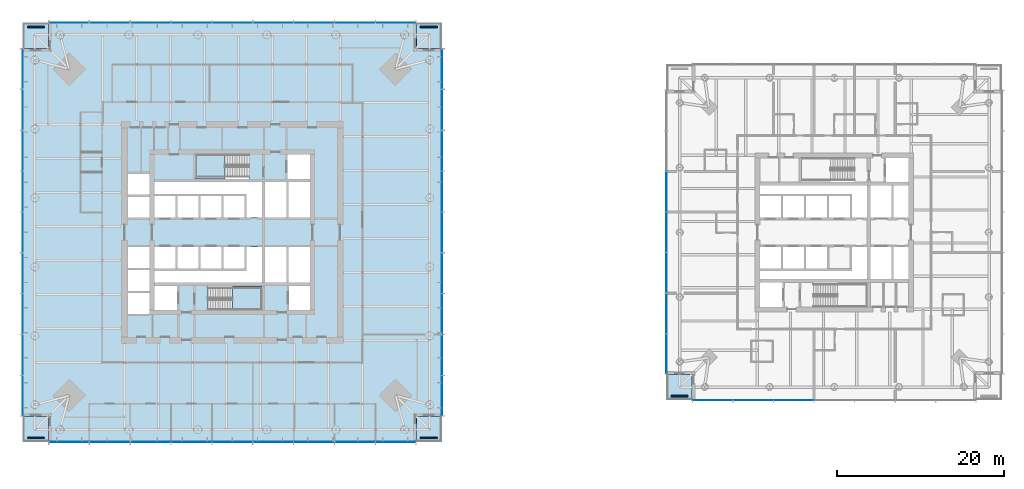
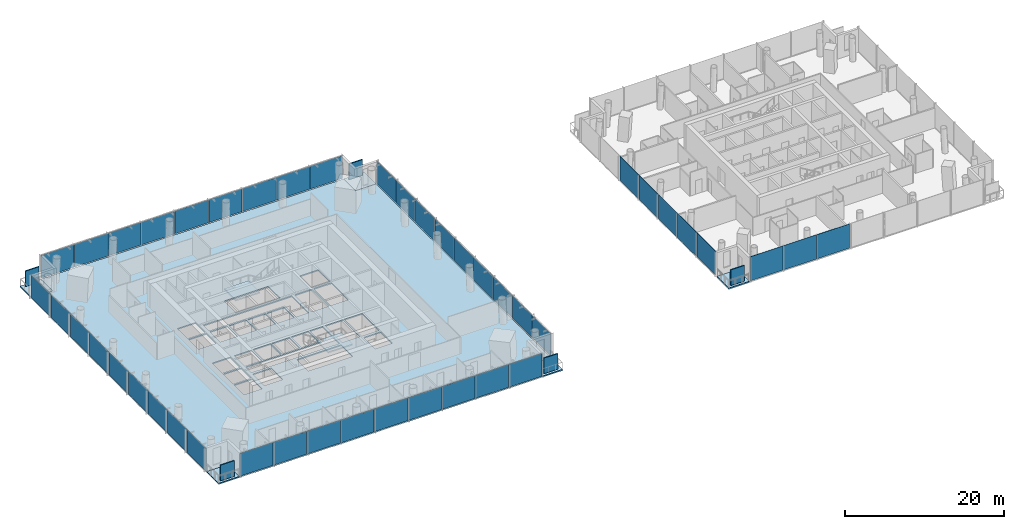
# One storey, part 8 of 21: 49 plates, 8 slabs, 8 elements without a shape of their own.
"""IFC4 building model written with IfcOpenShell, lengths in metres."""

import ifcopenshell
import ifcopenshell.guid

model = None  # the IFC model being written
_history = None  # IfcOwnerHistory: only IFC2X3 demands one
_inside = {}  # id of a spatial element -> (the spatial element, [elements in it])
_under = {}  # id of a project, library or spatial element -> (it, [spatial elements below it])
_declared = {}  # id of a project -> (the project, [libraries it declares])
_typed = {}  # id of a type object -> (the type object, [elements of that type])
_made_of = {}  # id of a material, layer set ... -> (it, [elements and type objects made of it])


def new_model(schema):
    """Start an empty IFC model of exactly this schema.

    Asked for "IFC4X3", IfcOpenShell would pick the latest addendum, in which some entities
    have other attributes; the version numbers below select the first issue.
    IFC2X3 requires an IfcOwnerHistory on every rooted entity: one is made here for all.
    """
    global model, _history
    if schema == "IFC4X3":
        model = ifcopenshell.file(schema_version=(4, 3, 0, 0))
    else:
        model = ifcopenshell.file(schema=schema)
    _inside.clear()
    _under.clear()
    _declared.clear()
    _typed.clear()
    _made_of.clear()
    _history = None
    if model.schema == "IFC2X3":
        org = make("IfcOrganization", Name="unknown")
        user = make(
            "IfcPersonAndOrganization",
            ThePerson=make("IfcPerson", FamilyName="unknown"),
            TheOrganization=org,
        )
        app = make(
            "IfcApplication",
            ApplicationDeveloper=org,
            Version="unknown",
            ApplicationFullName="unknown",
            ApplicationIdentifier="unknown",
        )
        _history = make(
            "IfcOwnerHistory",
            OwningUser=user,
            OwningApplication=app,
            ChangeAction="ADDED",
            CreationDate=0,
        )
    return model


def make(cls, **values):
    """One entity of the class cls with the attributes given. An attribute that is None is left unset."""
    return model.create_entity(
        cls, **{name: value for name, value in values.items() if value is not None}
    )


def rooted(cls, **values):
    """An entity with a GlobalId (a new one), such as an element, a storey or a relation."""
    return make(cls, GlobalId=ifcopenshell.guid.new(), OwnerHistory=_history, **values)


def si_unit(unit_type, name, prefix=None):
    """IfcSIUnit, for example si_unit("LENGTHUNIT", "METRE", prefix="MILLI")."""
    return make("IfcSIUnit", UnitType=unit_type, Prefix=prefix, Name=name)


def assignment(units):
    """IfcUnitAssignment: the units of a project."""
    return None if units is None else make("IfcUnitAssignment", Units=units)


def point(xyz):
    """IfcCartesianPoint."""
    return None if xyz is None else make("IfcCartesianPoint", Coordinates=xyz)


def direction(xyz):
    """IfcDirection."""
    return None if xyz is None else make("IfcDirection", DirectionRatios=xyz)


def frame(location, z_axis=None, x_axis=None):
    """IfcAxis2Placement3D, a coordinate frame: its origin and axes. An axis left out is left unset."""
    return make(
        "IfcAxis2Placement3D",
        Location=point(location),
        Axis=direction(z_axis),
        RefDirection=direction(x_axis),
    )


def frame_2d(location, x_axis=None):
    """IfcAxis2Placement2D, a coordinate frame in the plane: its origin and x axis."""
    return make(
        "IfcAxis2Placement2D", Location=point(location), RefDirection=direction(x_axis)
    )


def origin():
    """The frame at (0, 0, 0) with its axes left unset."""
    return frame((0.0, 0.0, 0.0))


def origin_2d():
    """The frame at (0, 0) in the plane with its x axis left unset."""
    return frame_2d((0.0, 0.0))


def place(relative_to, where):
    """IfcLocalPlacement: puts the frame where relative to a parent placement (None: the world)."""
    return make(
        "IfcLocalPlacement", PlacementRelTo=relative_to, RelativePlacement=where
    )


def context(
    kind, dimensions, precision=None, world=None, true_north=None, identifier=None
):
    """IfcGeometricRepresentationContext, for example the 3D "Model" context."""
    return make(
        "IfcGeometricRepresentationContext",
        ContextIdentifier=identifier,
        ContextType=kind,
        CoordinateSpaceDimension=dimensions,
        Precision=precision,
        WorldCoordinateSystem=world,
        TrueNorth=true_north,
    )


def subcontext(parent, identifier, kind, view, scale=None):
    """IfcGeometricRepresentationSubContext, for example "Body" below "Model"."""
    return make(
        "IfcGeometricRepresentationSubContext",
        ContextIdentifier=identifier,
        ContextType=kind,
        ParentContext=parent,
        TargetScale=scale,
        TargetView=view,
    )


def project(units=None, contexts=None):
    """IfcProject with its units and contexts."""
    return rooted(
        "IfcProject",
        Name="project",
        RepresentationContexts=contexts,
        UnitsInContext=assignment(units),
    )


def spatial(cls, under=None, at=None, **own):
    """A site, building, storey or space (cls), placed at a placement, below another one or the project."""
    s = rooted(cls, ObjectPlacement=at, **own)
    if under is not None:
        _under.setdefault(under.id(), (under, []))[1].append(s)
    return s


def polyline(points):
    """IfcPolyline through the points."""
    return make("IfcPolyline", Points=[point(p) for p in points])


def profile(cls, at=None, kind="AREA", **sizes):
    """A parametric profile (cls). Its sizes go by their IFC names, for example OverallWidth=200.0."""
    return make(cls, ProfileType=kind, Position=at, **sizes)


def rectangle(**sizes):
    """IfcRectangleProfileDef."""
    return profile("IfcRectangleProfileDef", **sizes)


def outline(outer, holes=None, kind="AREA"):
    """IfcArbitraryClosedProfileDef: a profile drawn as a closed curve; with holes, ...WithVoids."""
    if holes is None:
        return make("IfcArbitraryClosedProfileDef", ProfileType=kind, OuterCurve=outer)
    return make(
        "IfcArbitraryProfileDefWithVoids",
        ProfileType=kind,
        OuterCurve=outer,
        InnerCurves=holes,
    )


def extrude(swept, where, along, depth):
    """IfcExtrudedAreaSolid: the profile swept, set in the frame where, extruded along a direction by depth."""
    return make(
        "IfcExtrudedAreaSolid",
        SweptArea=swept,
        Position=where,
        ExtrudedDirection=direction(along),
        Depth=depth,
    )


def shape(context_of_items, identifier, shape_type, items):
    """IfcShapeRepresentation: the items that make up one representation, for example the "Body"."""
    return make(
        "IfcShapeRepresentation",
        ContextOfItems=context_of_items,
        RepresentationIdentifier=identifier,
        RepresentationType=shape_type,
        Items=items,
    )


def material(Name=None, Category=None):
    """IfcMaterial."""
    return make("IfcMaterial", Name=Name, Category=Category)


def layer(
    of_material, thickness, ventilated=None, Name=None, Category=None, Priority=None
):
    """IfcMaterialLayer: one layer of a wall or slab, of a material (None: an air gap)."""
    return make(
        "IfcMaterialLayer",
        Material=of_material,
        LayerThickness=thickness,
        IsVentilated=ventilated,
        Name=Name,
        Category=Category,
        Priority=Priority,
    )


def layer_set(layers, Name=None):
    """IfcMaterialLayerSet."""
    return make("IfcMaterialLayerSet", MaterialLayers=layers, LayerSetName=Name)


def made_of(thing, what):
    """Note that an element or type object is made of a material, layer set ...; save() writes the relation."""
    if what is not None:
        _made_of.setdefault(what.id(), (what, []))[1].append(thing)
    return thing


def type_object(cls, material=None, **own):
    """A type object (cls), such as IfcWallType, which elements share."""
    return made_of(rooted(cls, **own), material)


def element(
    cls,
    number,
    at=None,
    inside=None,
    cuts=None,
    type_object=None,
    material=None,
    context=None,
    identifier="Body",
    shape_type=None,
    held_by="IfcProductDefinitionShape",
    body=None,
    shapes=None,
    **own,
):
    """One element of the class cls, such as IfcWall. Its Tag is "e" and its number.

    at: its placement. inside: the storey or other place that contains it. cuts: it is an
    opening in that element (IfcRelVoidsElement). A single representation is given by context,
    identifier, shape_type and body (its items); several are given by shapes. held_by: the class
    of the entity that holds the representations. save() writes the other relations.
    """
    e = rooted(cls, Tag="e%d" % number, ObjectPlacement=at, **own)
    if body is not None:
        shapes = [shape(context, identifier, shape_type, body)]
    if shapes is not None:
        e.Representation = make(held_by, Representations=shapes)
    if inside is not None:
        _inside.setdefault(inside.id(), (inside, []))[1].append(e)
    if cuts is not None:
        rooted(
            "IfcRelVoidsElement", RelatingBuildingElement=cuts, RelatedOpeningElement=e
        )
    if type_object is not None:
        _typed.setdefault(type_object.id(), (type_object, []))[1].append(e)
    return made_of(e, material)


def aggregate(whole, parts):
    """IfcRelAggregates: a whole, such as a stair, and the parts it consists of."""
    return rooted("IfcRelAggregates", RelatingObject=whole, RelatedObjects=parts)


def save(model, path):
    """Write the relations noted so far, then the file.

    IfcRelAggregates (storeys below a building ...), IfcRelContainedInSpatialStructure (elements
    in a storey), IfcRelDefinesByType, IfcRelAssociatesMaterial and IfcRelDeclares: one each for
    every whole, place, type object, material and project.
    """
    for whole, parts in _under.values():
        aggregate(whole, parts)
    for where, things in _inside.values():
        rooted(
            "IfcRelContainedInSpatialStructure",
            RelatedElements=things,
            RelatingStructure=where,
        )
    for kind, things in _typed.values():
        rooted("IfcRelDefinesByType", RelatedObjects=things, RelatingType=kind)
    for what, things in _made_of.values():
        rooted("IfcRelAssociatesMaterial", RelatedObjects=things, RelatingMaterial=what)
    for by, libraries in _declared.values():
        rooted("IfcRelDeclares", RelatingContext=by, RelatedDefinitions=libraries)
    model.write(path)


model = new_model("IFC4")

# Units and contexts
model_context = context("Model", 3, precision=1e-05, world=origin(), true_north=direction((0.0, 1.0)))
body_context = subcontext(model_context, "Body", "Model", "MODEL_VIEW")
ifc_project = project(units=[si_unit("LENGTHUNIT", "METRE"), si_unit("AREAUNIT", "SQUARE_METRE"), si_unit("VOLUMEUNIT", "CUBIC_METRE"), si_unit("PLANEANGLEUNIT", "RADIAN"), si_unit("MASSUNIT", "GRAM", prefix="KILO")], contexts=[model_context])

# Site, building, storey
site_placement = place(None, origin())
site = spatial("IfcSite", under=ifc_project, at=site_placement, CompositionType="ELEMENT")
building_placement = place(site_placement, origin())
building = spatial("IfcBuilding", under=site, at=building_placement, Name="Ostroluk Exchange", CompositionType="ELEMENT")
storey_placement = place(building_placement, frame((0.0, 0.0, 32.39990234375)))
storey = spatial("IfcBuildingStorey", under=building, at=storey_placement, Name="L07", CompositionType="ELEMENT", Elevation=32.39990234375)

# Curtain wall, plates
ifc_material_1 = material(Name="Laminated clear glass", Category="glass")
curtain_wall_type_1 = type_object("IfcCurtainWallType", Name="Hotel guest floor facade", PredefinedType="USERDEFINED", material=ifc_material_1)
curtain_wall_1_placement = place(storey_placement, origin())
curtain_wall_1 = element("IfcCurtainWall", 1, at=curtain_wall_1_placement, inside=storey, type_object=curtain_wall_type_1, Name="Hotel tower south facade L07", ObjectType="UNITISED CURTAIN WALL", PredefinedType="USERDEFINED")
ifc_material_2 = material(Name="Laminated clear glass", Category="glass")
ifc_layer_1 = layer(ifc_material_2, 0.0400390625)
ifc_layer_set_1 = layer_set([ifc_layer_1], Name="Acoustic laminated glazing 40")
plate_type_1 = type_object("IfcPlateType", Name="Acoustic laminated glazing 40", PredefinedType="CURTAIN_PANEL", material=ifc_layer_set_1)
plate_1_placement = place(storey_placement, frame((102.448486328125, 25.925048828125, 0.080078125), z_axis=(0.0, 0.0, 1.0), x_axis=(1.0, 0.0, 0.0)))
plate_1 = element("IfcPlate", 2, at=plate_1_placement, type_object=plate_type_1, Name="CW-H1 panel 1.1", PredefinedType="CURTAIN_PANEL", context=body_context, shape_type="SweptSolid", body=[
    extrude(rectangle(XDim=4.737060546875, YDim=0.0400390625, at=origin_2d()), origin(), (0.0, 0.0, 1.0), 3.719970703125),
])
plate_2_placement = place(storey_placement, frame((107.28564453125, 25.925048828125, 0.080078125), z_axis=(0.0, 0.0, 1.0), x_axis=(1.0, 0.0, 0.0)))
plate_2 = element("IfcPlate", 3, at=plate_2_placement, type_object=plate_type_1, Name="CW-H1 panel 2.1", PredefinedType="CURTAIN_PANEL", context=body_context, shape_type="SweptSolid", body=[
    extrude(rectangle(XDim=4.777099609375, YDim=0.0400390625, at=origin_2d()), origin(), (0.0, 0.0, 1.0), 3.719970703125),
])
plate_3_placement = place(storey_placement, frame((112.142822265625, 25.925048828125, 0.080078125), z_axis=(0.0, 0.0, 1.0), x_axis=(1.0, 0.0, 0.0)))
plate_3 = element("IfcPlate", 4, at=plate_3_placement, type_object=plate_type_1, Name="CW-H1 panel 3.1", PredefinedType="CURTAIN_PANEL", context=body_context, shape_type="SweptSolid", body=[
    extrude(rectangle(XDim=4.777099609375, YDim=0.0400390625, at=origin_2d()), origin(), (0.0, 0.0, 1.0), 3.719970703125),
])
aggregate(curtain_wall_1, [plate_1, plate_2, plate_3])

curtain_wall_2_placement = place(storey_placement, origin())
curtain_wall_2 = element("IfcCurtainWall", 5, at=curtain_wall_2_placement, inside=storey, type_object=curtain_wall_type_1, Name="Hotel tower west facade L07", ObjectType="UNITISED CURTAIN WALL", PredefinedType="USERDEFINED")
plate_4_placement = place(storey_placement, frame((96.925048828125, 50.857177734375, 0.080078125), z_axis=(0.0, 0.0, 1.0), x_axis=(0.0, -1.0, 0.0)))
plate_4 = element("IfcPlate", 6, at=plate_4_placement, type_object=plate_type_1, Name="CW-H1 panel 3.1", PredefinedType="CURTAIN_PANEL", context=body_context, shape_type="SweptSolid", body=[
    extrude(rectangle(XDim=4.777099609375, YDim=0.0400390625, at=origin_2d()), origin(), (0.0, 0.0, 1.0), 3.719970703125),
])
plate_5_placement = place(storey_placement, frame((96.925048828125, 46.0, 0.080078125), z_axis=(0.0, 0.0, 1.0), x_axis=(0.0, -1.0, 0.0)))
plate_5 = element("IfcPlate", 7, at=plate_5_placement, type_object=plate_type_1, Name="CW-H1 panel 4.1", PredefinedType="CURTAIN_PANEL", context=body_context, shape_type="SweptSolid", body=[
    extrude(rectangle(XDim=4.777099609375, YDim=0.0400390625, at=origin_2d()), origin(), (0.0, 0.0, 1.0), 3.719970703125),
])
plate_6_placement = place(storey_placement, frame((96.925048828125, 41.142822265625, 0.080078125), z_axis=(0.0, 0.0, 1.0), x_axis=(0.0, -1.0, 0.0)))
plate_6 = element("IfcPlate", 8, at=plate_6_placement, type_object=plate_type_1, Name="CW-H1 panel 5.1", PredefinedType="CURTAIN_PANEL", context=body_context, shape_type="SweptSolid", body=[
    extrude(rectangle(XDim=4.777099609375, YDim=0.0400390625, at=origin_2d()), origin(), (0.0, 0.0, 1.0), 3.719970703125),
])
plate_7_placement = place(storey_placement, frame((96.925048828125, 36.28564453125, 0.080078125), z_axis=(0.0, 0.0, 1.0), x_axis=(0.0, -1.0, 0.0)))
plate_7 = element("IfcPlate", 9, at=plate_7_placement, type_object=plate_type_1, Name="CW-H1 panel 6.1", PredefinedType="CURTAIN_PANEL", context=body_context, shape_type="SweptSolid", body=[
    extrude(rectangle(XDim=4.777099609375, YDim=0.0400390625, at=origin_2d()), origin(), (0.0, 0.0, 1.0), 3.719970703125),
])
plate_8_placement = place(storey_placement, frame((96.925048828125, 31.448486328125, 0.080078125), z_axis=(0.0, 0.0, 1.0), x_axis=(0.0, -1.0, 0.0)))
plate_8 = element("IfcPlate", 10, at=plate_8_placement, type_object=plate_type_1, Name="CW-H1 panel 7.1", PredefinedType="CURTAIN_PANEL", context=body_context, shape_type="SweptSolid", body=[
    extrude(rectangle(XDim=4.737060546875, YDim=0.0400390625, at=origin_2d()), origin(), (0.0, 0.0, 1.0), 3.719970703125),
])
aggregate(curtain_wall_2, [plate_4, plate_5, plate_6, plate_7, plate_8])

# Slabs
ifc_material_3 = material(Name="Concrete C35/45", Category="concrete")
ifc_layer_2 = layer(ifc_material_3, 0.179931640625)
ifc_layer_set_2 = layer_set([ifc_layer_2], Name="Balcony slab 180")
slab_type_1 = type_object("IfcSlabType", Name="Balcony slab 180", PredefinedType="USERDEFINED", material=ifc_layer_set_2)
slab_1_placement = place(storey_placement, frame((0.0, 0.0, -0.179931640625)))
element("IfcSlab", 11, at=slab_1_placement, inside=storey, type_object=slab_type_1, Name="Office tower SE corner balcony L07", ObjectType="BALCONY", PredefinedType="USERDEFINED", context=body_context, shape_type="SweptSolid", body=[
    extrude(outline(polyline([(67.0, 21.0), (70.0, 21.0), (70.0, 24.0), (67.0, 24.0), (67.0, 21.0)])), origin(), (0.0, 0.0, 1.0), 0.179931640625),
])
slab_2_placement = place(storey_placement, frame((0.0, 0.0, -0.179931640625)))
element("IfcSlab", 12, at=slab_2_placement, inside=storey, type_object=slab_type_1, Name="Office tower NE corner balcony L07", ObjectType="BALCONY", PredefinedType="USERDEFINED", context=body_context, shape_type="SweptSolid", body=[
    extrude(outline(polyline([(67.0, 68.0), (70.0, 68.0), (70.0, 71.0), (67.0, 71.0), (67.0, 68.0)])), origin(), (0.0, 0.0, 1.0), 0.179931640625),
])
slab_3_placement = place(storey_placement, frame((0.0, 0.0, -0.179931640625)))
element("IfcSlab", 13, at=slab_3_placement, inside=storey, type_object=slab_type_1, Name="Office tower NW corner balcony L07", ObjectType="BALCONY", PredefinedType="USERDEFINED", context=body_context, shape_type="SweptSolid", body=[
    extrude(outline(polyline([(20.0, 68.0), (23.0, 68.0), (23.0, 71.0), (20.0, 71.0), (20.0, 68.0)])), origin(), (0.0, 0.0, 1.0), 0.179931640625),
])
slab_4_placement = place(storey_placement, frame((0.0, 0.0, -0.179931640625)))
element("IfcSlab", 14, at=slab_4_placement, inside=storey, type_object=slab_type_1, Name="Office tower SW corner balcony L07", ObjectType="BALCONY", PredefinedType="USERDEFINED", context=body_context, shape_type="SweptSolid", body=[
    extrude(outline(polyline([(20.0, 21.0), (23.0, 21.0), (23.0, 24.0), (20.0, 24.0), (20.0, 21.0)])), origin(), (0.0, 0.0, 1.0), 0.179931640625),
])
ifc_material_4 = material(Name="Concrete C35/45", Category="concrete")
ifc_layer_3 = layer(ifc_material_4, 0.199951171875)
ifc_layer_set_3 = layer_set([ifc_layer_3], Name="Balcony slab 200")
slab_type_2 = type_object("IfcSlabType", Name="Balcony slab 200", PredefinedType="USERDEFINED", material=ifc_layer_set_3)
slab_5_placement = place(storey_placement, frame((0.0, 0.0, -0.199951171875)))
element("IfcSlab", 15, at=slab_5_placement, inside=storey, type_object=slab_type_2, Name="Hotel tower SW corner balcony L07", ObjectType="BALCONY", PredefinedType="USERDEFINED", context=body_context, shape_type="SweptSolid", body=[
    extrude(outline(polyline([(97.0, 26.0), (100.0, 26.0), (100.0, 29.0), (97.0, 29.0), (97.0, 26.0)])), origin(), (0.0, 0.0, 1.0), 0.199951171875),
])

# Plates
ifc_material_5 = material(Name="Steel S355 trellis with planting", Category="steel")
ifc_layer_4 = layer(ifc_material_5, 0.14990234375)
ifc_layer_set_4 = layer_set([ifc_layer_4], Name="Planted screen 150")
plate_type_2 = type_object("IfcPlateType", Name="Planted screen 150", PredefinedType="USERDEFINED", material=ifc_layer_set_4)
for number, where, z_axis, x_axis, name in (
    (16, (68.5, 21.425048828125, 0.000244140625), (0.0, 0.0, 1.0), (1.0, 0.0, 0.0), "Office tower SE planted screen L07"),
    (17, (68.5, 70.574951171875, 0.000244140625), (0.0, 0.0, 1.0), (1.0, 0.0, 0.0), "Office tower NE planted screen L07"),
    (18, (21.5, 70.574951171875, 0.000244140625), (0.0, 0.0, 1.0), (1.0, 0.0, 0.0), "Office tower NW planted screen L07"),
    (19, (21.5, 21.425048828125, 0.000244140625), (0.0, 0.0, 1.0), (1.0, 0.0, 0.0), "Office tower SW planted screen L07"),
    (20, (98.5, 26.425048828125, 0.000244140625), (0.0, 0.0, 1.0), (1.0, 0.0, 0.0), "Hotel tower SW planted screen L07"),
):
    element("IfcPlate", number, at=place(storey_placement, frame(where, z_axis=z_axis, x_axis=x_axis)), inside=storey, type_object=plate_type_2, Name=name, ObjectType="PLANTED SCREEN", PredefinedType="USERDEFINED", context=body_context, shape_type="SweptSolid", body=[
        extrude(rectangle(XDim=2.0, YDim=0.14990234375, at=origin_2d()), origin(), (0.0, 0.0, 1.0), 2.39990234375),
    ])

# Stair, slab
ifc_material_6 = material(Name="Concrete C30/37", Category="concrete")
stair_type = type_object("IfcStairType", Name="Exit stair half turn 3800", PredefinedType="HALF_TURN_STAIR", material=ifc_material_6)
stair_1_placement = place(storey_placement, origin())
stair_1 = element("IfcStair", 21, at=stair_1_placement, inside=storey, type_object=stair_type, Name="Stair T1-S1 L07", PredefinedType="HALF_TURN_STAIR")
ifc_material_7 = material(Name="Concrete C30/37", Category="concrete")
ifc_layer_5 = layer(ifc_material_7, 0.199951171875)
ifc_layer_set_5 = layer_set([ifc_layer_5], Name="Stair landing 200")
slab_type_3 = type_object("IfcSlabType", Name="Stair landing 200", PredefinedType="LANDING", material=ifc_layer_set_5)
slab_6_placement = place(storey_placement, frame((0.0, 0.0, 1.7001953125)))
slab_6 = element("IfcSlab", 22, at=slab_6_placement, type_object=slab_type_3, Name="T1-S1 landing 1", PredefinedType="LANDING", context=body_context, shape_type="SweptSolid", body=[
    extrude(outline(polyline([(45.0, 36.699951171875), (45.0, 39.60009765625), (48.530029296875, 39.60009765625), (48.530029296875, 36.699951171875), (45.0, 36.699951171875)])), origin(), (0.0, 0.0, 1.0), 0.199951171875),
])
aggregate(stair_1, [slab_6])

stair_2_placement = place(storey_placement, origin())
stair_2 = element("IfcStair", 23, at=stair_2_placement, inside=storey, type_object=stair_type, Name="Stair T1-S2 L07", PredefinedType="HALF_TURN_STAIR")
slab_7_placement = place(storey_placement, frame((0.0, 0.0, 1.7001953125)))
slab_7 = element("IfcSlab", 24, at=slab_7_placement, type_object=slab_type_3, Name="T1-S2 landing 1", PredefinedType="LANDING", context=body_context, shape_type="SweptSolid", body=[
    extrude(outline(polyline([(44.1298828125, 52.39990234375), (44.1298828125, 55.300048828125), (40.60009765625, 55.300048828125), (40.60009765625, 52.39990234375), (44.1298828125, 52.39990234375)])), origin(), (0.0, 0.0, 1.0), 0.199951171875),
])
aggregate(stair_2, [slab_7])

# Slab
ifc_material_8 = material(Name="Concrete C35/45", Category="concrete")
ifc_layer_6 = layer(ifc_material_8, 0.179931640625)
ifc_layer_set_6 = layer_set([ifc_layer_6], Name="Tower floor slab 180 composite")
slab_type_4 = type_object("IfcSlabType", Name="Tower floor slab 180 composite", PredefinedType="FLOOR", material=ifc_layer_set_6)
slab_8_placement = place(storey_placement, frame((0.0, 0.0, -0.179931640625)))
element("IfcSlab", 25, at=slab_8_placement, inside=storey, type_object=slab_type_4, Name="Office tower floor slab L07", PredefinedType="FLOOR", context=body_context, shape_type="SweptSolid", body=[
    extrude(outline(polyline([(23.0, 21.0), (67.0, 21.0), (67.0, 24.0), (70.0, 24.0), (70.0, 68.0), (67.0, 68.0), (67.0, 71.0), (23.0, 71.0), (23.0, 68.0), (20.0, 68.0), (20.0, 24.0), (23.0, 24.0), (23.0, 21.0)]), holes=[polyline([(35.699951171875, 36.699951171875), (38.39990234375, 36.699951171875), (38.39990234375, 39.60009765625), (35.699951171875, 39.60009765625), (35.699951171875, 36.699951171875)]), polyline([(42.110107421875, 36.699951171875), (48.530029296875, 36.699951171875), (48.530029296875, 39.60009765625), (42.110107421875, 39.60009765625), (42.110107421875, 36.699951171875)]), polyline([(51.800048828125, 36.699951171875), (54.300048828125, 36.699951171875), (54.300048828125, 39.60009765625), (51.800048828125, 39.60009765625), (51.800048828125, 36.699951171875)]), polyline([(40.60009765625, 52.39990234375), (47.02001953125, 52.39990234375), (47.02001953125, 55.300048828125), (40.60009765625, 55.300048828125), (40.60009765625, 52.39990234375)]), polyline([(51.60009765625, 52.39990234375), (54.300048828125, 52.39990234375), (54.300048828125, 55.300048828125), (51.60009765625, 55.300048828125), (51.60009765625, 52.39990234375)]), polyline([(35.699951171875, 47.75), (38.199951171875, 47.75), (38.199951171875, 50.35009765625), (35.699951171875, 50.35009765625), (35.699951171875, 47.75)]), polyline([(38.449951171875, 47.75), (40.949951171875, 47.75), (40.949951171875, 50.35009765625), (38.449951171875, 50.35009765625), (38.449951171875, 47.75)]), polyline([(41.199951171875, 47.75), (43.699951171875, 47.75), (43.699951171875, 50.35009765625), (41.199951171875, 50.35009765625), (41.199951171875, 47.75)]), polyline([(43.949951171875, 47.75), (46.449951171875, 47.75), (46.449951171875, 50.35009765625), (43.949951171875, 50.35009765625), (43.949951171875, 47.75)]), polyline([(35.699951171875, 41.64990234375), (38.199951171875, 41.64990234375), (38.199951171875, 44.25), (35.699951171875, 44.25), (35.699951171875, 41.64990234375)]), polyline([(38.449951171875, 41.64990234375), (40.949951171875, 41.64990234375), (40.949951171875, 44.25), (38.449951171875, 44.25), (38.449951171875, 41.64990234375)]), polyline([(41.199951171875, 41.64990234375), (43.699951171875, 41.64990234375), (43.699951171875, 44.25), (41.199951171875, 44.25), (41.199951171875, 41.64990234375)]), polyline([(43.949951171875, 41.64990234375), (46.449951171875, 41.64990234375), (46.449951171875, 44.25), (43.949951171875, 44.25), (43.949951171875, 41.64990234375)]), polyline([(48.929931640625, 47.75), (51.489990234375, 47.75), (51.489990234375, 52.0), (48.929931640625, 52.0), (48.929931640625, 47.75)]), polyline([(51.739990234375, 47.75), (54.300048828125, 47.75), (54.300048828125, 52.0), (51.739990234375, 52.0), (51.739990234375, 47.75)]), polyline([(48.929931640625, 40.0), (51.489990234375, 40.0), (51.489990234375, 44.25), (48.929931640625, 44.25), (48.929931640625, 40.0)]), polyline([(51.739990234375, 40.0), (54.300048828125, 40.0), (54.300048828125, 44.25), (51.739990234375, 44.25), (51.739990234375, 40.0)]), polyline([(48.530029296875, 52.0), (48.530029296875, 47.75), (46.699951171875, 47.75), (46.699951171875, 50.60009765625), (35.699951171875, 50.60009765625), (35.699951171875, 52.0), (48.530029296875, 52.0)]), polyline([(35.699951171875, 40.0), (35.699951171875, 41.39990234375), (46.699951171875, 41.39990234375), (46.699951171875, 44.25), (48.530029296875, 44.25), (48.530029296875, 40.0), (35.699951171875, 40.0)]), polyline([(32.5, 36.25), (35.10009765625, 36.25), (35.10009765625, 38.75), (32.5, 38.75), (32.5, 36.25)]), polyline([(32.5, 39.0), (35.10009765625, 39.0), (35.10009765625, 41.5), (32.5, 41.5), (32.5, 39.0)]), polyline([(32.5, 41.75), (35.10009765625, 41.75), (35.10009765625, 44.25), (32.5, 44.25), (32.5, 41.75)]), polyline([(32.5, 47.75), (35.10009765625, 47.75), (35.10009765625, 50.25), (32.5, 50.25), (32.5, 47.75)]), polyline([(32.5, 50.5), (35.10009765625, 50.5), (35.10009765625, 53.0), (32.5, 53.0), (32.5, 50.5)])]), origin(), (0.0, 0.0, 1.0), 0.179931640625),
])

# Curtain wall, plates
ifc_material_9 = material(Name="Laminated clear glass", Category="glass")
curtain_wall_type_2 = type_object("IfcCurtainWallType", Name="Office tower facade", PredefinedType="USERDEFINED", material=ifc_material_9)
curtain_wall_3_placement = place(storey_placement, origin())
curtain_wall_3 = element("IfcCurtainWall", 26, at=curtain_wall_3_placement, inside=storey, type_object=curtain_wall_type_2, Name="Office tower south facade L07", ObjectType="UNITISED CURTAIN WALL", PredefinedType="USERDEFINED")
ifc_material_10 = material(Name="Laminated clear glass", Category="glass")
ifc_layer_7 = layer(ifc_material_10, 0.0439453125)
ifc_layer_set_7 = layer_set([ifc_layer_7], Name="Triple laminated clear glazing 44")
plate_type_3 = type_object("IfcPlateType", Name="Triple laminated clear glazing 44", PredefinedType="CURTAIN_PANEL", material=ifc_layer_set_7)
plate_9_placement = place(storey_placement, frame((25.46435546875, 20.925048828125, 0.080078125), z_axis=(0.0, 0.0, 1.0), x_axis=(1.0, 0.0, 0.0)))
plate_9 = element("IfcPlate", 27, at=plate_9_placement, type_object=plate_type_3, Name="CW-O1 panel 1.1", PredefinedType="CURTAIN_PANEL", context=body_context, shape_type="SweptSolid", body=[
    extrude(rectangle(XDim=4.768798828125, YDim=0.0439453125, at=origin_2d()), origin(), (0.0, 0.0, 1.0), 3.489990234375),
])
plate_10_placement = place(storey_placement, frame((30.333251953125, 20.925048828125, 0.080078125), z_axis=(0.0, 0.0, 1.0), x_axis=(1.0, 0.0, 0.0)))
plate_10 = element("IfcPlate", 28, at=plate_10_placement, type_object=plate_type_3, Name="CW-O1 panel 2.1", PredefinedType="CURTAIN_PANEL", context=body_context, shape_type="SweptSolid", body=[
    extrude(rectangle(XDim=4.808837890625, YDim=0.0439453125, at=origin_2d()), origin(), (0.0, 0.0, 1.0), 3.489990234375),
])
plate_11_placement = place(storey_placement, frame((35.22216796875, 20.925048828125, 0.080078125), z_axis=(0.0, 0.0, 1.0), x_axis=(1.0, 0.0, 0.0)))
plate_11 = element("IfcPlate", 29, at=plate_11_placement, type_object=plate_type_3, Name="CW-O1 panel 3.1", PredefinedType="CURTAIN_PANEL", context=body_context, shape_type="SweptSolid", body=[
    extrude(rectangle(XDim=4.808837890625, YDim=0.0439453125, at=origin_2d()), origin(), (0.0, 0.0, 1.0), 3.489990234375),
])
plate_12_placement = place(storey_placement, frame((40.111083984375, 20.925048828125, 0.080078125), z_axis=(0.0, 0.0, 1.0), x_axis=(1.0, 0.0, 0.0)))
plate_12 = element("IfcPlate", 30, at=plate_12_placement, type_object=plate_type_3, Name="CW-O1 panel 4.1", PredefinedType="CURTAIN_PANEL", context=body_context, shape_type="SweptSolid", body=[
    extrude(rectangle(XDim=4.808837890625, YDim=0.0439453125, at=origin_2d()), origin(), (0.0, 0.0, 1.0), 3.489990234375),
])
plate_13_placement = place(storey_placement, frame((45.0, 20.925048828125, 0.080078125), z_axis=(0.0, 0.0, 1.0), x_axis=(1.0, 0.0, 0.0)))
plate_13 = element("IfcPlate", 31, at=plate_13_placement, type_object=plate_type_3, Name="CW-O1 panel 5.1", PredefinedType="CURTAIN_PANEL", context=body_context, shape_type="SweptSolid", body=[
    extrude(rectangle(XDim=4.808837890625, YDim=0.0439453125, at=origin_2d()), origin(), (0.0, 0.0, 1.0), 3.489990234375),
])
plate_14_placement = place(storey_placement, frame((49.888916015625, 20.925048828125, 0.080078125), z_axis=(0.0, 0.0, 1.0), x_axis=(1.0, 0.0, 0.0)))
plate_14 = element("IfcPlate", 32, at=plate_14_placement, type_object=plate_type_3, Name="CW-O1 panel 6.1", PredefinedType="CURTAIN_PANEL", context=body_context, shape_type="SweptSolid", body=[
    extrude(rectangle(XDim=4.808837890625, YDim=0.0439453125, at=origin_2d()), origin(), (0.0, 0.0, 1.0), 3.489990234375),
])
plate_15_placement = place(storey_placement, frame((54.77783203125, 20.925048828125, 0.080078125), z_axis=(0.0, 0.0, 1.0), x_axis=(1.0, 0.0, 0.0)))
plate_15 = element("IfcPlate", 33, at=plate_15_placement, type_object=plate_type_3, Name="CW-O1 panel 7.1", PredefinedType="CURTAIN_PANEL", context=body_context, shape_type="SweptSolid", body=[
    extrude(rectangle(XDim=4.808837890625, YDim=0.0439453125, at=origin_2d()), origin(), (0.0, 0.0, 1.0), 3.489990234375),
])
plate_16_placement = place(storey_placement, frame((59.666748046875, 20.925048828125, 0.080078125), z_axis=(0.0, 0.0, 1.0), x_axis=(1.0, 0.0, 0.0)))
plate_16 = element("IfcPlate", 34, at=plate_16_placement, type_object=plate_type_3, Name="CW-O1 panel 8.1", PredefinedType="CURTAIN_PANEL", context=body_context, shape_type="SweptSolid", body=[
    extrude(rectangle(XDim=4.808837890625, YDim=0.0439453125, at=origin_2d()), origin(), (0.0, 0.0, 1.0), 3.489990234375),
])
plate_17_placement = place(storey_placement, frame((64.53564453125, 20.925048828125, 0.080078125), z_axis=(0.0, 0.0, 1.0), x_axis=(1.0, 0.0, 0.0)))
plate_17 = element("IfcPlate", 35, at=plate_17_placement, type_object=plate_type_3, Name="CW-O1 panel 9.1", PredefinedType="CURTAIN_PANEL", context=body_context, shape_type="SweptSolid", body=[
    extrude(rectangle(XDim=4.768798828125, YDim=0.0439453125, at=origin_2d()), origin(), (0.0, 0.0, 1.0), 3.489990234375),
])
aggregate(curtain_wall_3, [plate_9, plate_10, plate_11, plate_12, plate_13, plate_14, plate_15, plate_16, plate_17])

curtain_wall_4_placement = place(storey_placement, origin())
curtain_wall_4 = element("IfcCurtainWall", 36, at=curtain_wall_4_placement, inside=storey, type_object=curtain_wall_type_2, Name="Office tower east facade L07", ObjectType="UNITISED CURTAIN WALL", PredefinedType="USERDEFINED")
plate_18_placement = place(storey_placement, frame((70.074951171875, 26.46435546875, 0.080078125), z_axis=(0.0, 0.0, 1.0), x_axis=(0.0, 1.0, 0.0)))
plate_18 = element("IfcPlate", 37, at=plate_18_placement, type_object=plate_type_3, Name="CW-O1 panel 1.1", PredefinedType="CURTAIN_PANEL", context=body_context, shape_type="SweptSolid", body=[
    extrude(rectangle(XDim=4.768798828125, YDim=0.0439453125, at=origin_2d()), origin(), (0.0, 0.0, 1.0), 3.489990234375),
])
plate_19_placement = place(storey_placement, frame((70.074951171875, 31.333251953125, 0.080078125), z_axis=(0.0, 0.0, 1.0), x_axis=(0.0, 1.0, 0.0)))
plate_19 = element("IfcPlate", 38, at=plate_19_placement, type_object=plate_type_3, Name="CW-O1 panel 2.1", PredefinedType="CURTAIN_PANEL", context=body_context, shape_type="SweptSolid", body=[
    extrude(rectangle(XDim=4.808837890625, YDim=0.0439453125, at=origin_2d()), origin(), (0.0, 0.0, 1.0), 3.489990234375),
])
plate_20_placement = place(storey_placement, frame((70.074951171875, 36.22216796875, 0.080078125), z_axis=(0.0, 0.0, 1.0), x_axis=(0.0, 1.0, 0.0)))
plate_20 = element("IfcPlate", 39, at=plate_20_placement, type_object=plate_type_3, Name="CW-O1 panel 3.1", PredefinedType="CURTAIN_PANEL", context=body_context, shape_type="SweptSolid", body=[
    extrude(rectangle(XDim=4.808837890625, YDim=0.0439453125, at=origin_2d()), origin(), (0.0, 0.0, 1.0), 3.489990234375),
])
plate_21_placement = place(storey_placement, frame((70.074951171875, 41.111083984375, 0.080078125), z_axis=(0.0, 0.0, 1.0), x_axis=(0.0, 1.0, 0.0)))
plate_21 = element("IfcPlate", 40, at=plate_21_placement, type_object=plate_type_3, Name="CW-O1 panel 4.1", PredefinedType="CURTAIN_PANEL", context=body_context, shape_type="SweptSolid", body=[
    extrude(rectangle(XDim=4.808837890625, YDim=0.0439453125, at=origin_2d()), origin(), (0.0, 0.0, 1.0), 3.489990234375),
])
plate_22_placement = place(storey_placement, frame((70.074951171875, 46.0, 0.080078125), z_axis=(0.0, 0.0, 1.0), x_axis=(0.0, 1.0, 0.0)))
plate_22 = element("IfcPlate", 41, at=plate_22_placement, type_object=plate_type_3, Name="CW-O1 panel 5.1", PredefinedType="CURTAIN_PANEL", context=body_context, shape_type="SweptSolid", body=[
    extrude(rectangle(XDim=4.808837890625, YDim=0.0439453125, at=origin_2d()), origin(), (0.0, 0.0, 1.0), 3.489990234375),
])
plate_23_placement = place(storey_placement, frame((70.074951171875, 50.888916015625, 0.080078125), z_axis=(0.0, 0.0, 1.0), x_axis=(0.0, 1.0, 0.0)))
plate_23 = element("IfcPlate", 42, at=plate_23_placement, type_object=plate_type_3, Name="CW-O1 panel 6.1", PredefinedType="CURTAIN_PANEL", context=body_context, shape_type="SweptSolid", body=[
    extrude(rectangle(XDim=4.808837890625, YDim=0.0439453125, at=origin_2d()), origin(), (0.0, 0.0, 1.0), 3.489990234375),
])
plate_24_placement = place(storey_placement, frame((70.074951171875, 55.77783203125, 0.080078125), z_axis=(0.0, 0.0, 1.0), x_axis=(0.0, 1.0, 0.0)))
plate_24 = element("IfcPlate", 43, at=plate_24_placement, type_object=plate_type_3, Name="CW-O1 panel 7.1", PredefinedType="CURTAIN_PANEL", context=body_context, shape_type="SweptSolid", body=[
    extrude(rectangle(XDim=4.808837890625, YDim=0.0439453125, at=origin_2d()), origin(), (0.0, 0.0, 1.0), 3.489990234375),
])
plate_25_placement = place(storey_placement, frame((70.074951171875, 60.666748046875, 0.080078125), z_axis=(0.0, 0.0, 1.0), x_axis=(0.0, 1.0, 0.0)))
plate_25 = element("IfcPlate", 44, at=plate_25_placement, type_object=plate_type_3, Name="CW-O1 panel 8.1", PredefinedType="CURTAIN_PANEL", context=body_context, shape_type="SweptSolid", body=[
    extrude(rectangle(XDim=4.808837890625, YDim=0.0439453125, at=origin_2d()), origin(), (0.0, 0.0, 1.0), 3.489990234375),
])
plate_26_placement = place(storey_placement, frame((70.074951171875, 65.53564453125, 0.080078125), z_axis=(0.0, 0.0, 1.0), x_axis=(0.0, 1.0, 0.0)))
plate_26 = element("IfcPlate", 45, at=plate_26_placement, type_object=plate_type_3, Name="CW-O1 panel 9.1", PredefinedType="CURTAIN_PANEL", context=body_context, shape_type="SweptSolid", body=[
    extrude(rectangle(XDim=4.768798828125, YDim=0.0439453125, at=origin_2d()), origin(), (0.0, 0.0, 1.0), 3.489990234375),
])
aggregate(curtain_wall_4, [plate_18, plate_19, plate_20, plate_21, plate_22, plate_23, plate_24, plate_25, plate_26])

curtain_wall_5_placement = place(storey_placement, origin())
curtain_wall_5 = element("IfcCurtainWall", 46, at=curtain_wall_5_placement, inside=storey, type_object=curtain_wall_type_2, Name="Office tower north facade L07", ObjectType="UNITISED CURTAIN WALL", PredefinedType="USERDEFINED")
plate_27_placement = place(storey_placement, frame((64.53564453125, 71.074951171875, 0.080078125), z_axis=(0.0, 0.0, 1.0), x_axis=(-1.0, 0.0, 0.0)))
plate_27 = element("IfcPlate", 47, at=plate_27_placement, type_object=plate_type_3, Name="CW-O1 panel 1.1", PredefinedType="CURTAIN_PANEL", context=body_context, shape_type="SweptSolid", body=[
    extrude(rectangle(XDim=4.768798828125, YDim=0.0439453125, at=origin_2d()), origin(), (0.0, 0.0, 1.0), 3.489990234375),
])
plate_28_placement = place(storey_placement, frame((59.666748046875, 71.074951171875, 0.080078125), z_axis=(0.0, 0.0, 1.0), x_axis=(-1.0, 0.0, 0.0)))
plate_28 = element("IfcPlate", 48, at=plate_28_placement, type_object=plate_type_3, Name="CW-O1 panel 2.1", PredefinedType="CURTAIN_PANEL", context=body_context, shape_type="SweptSolid", body=[
    extrude(rectangle(XDim=4.808837890625, YDim=0.0439453125, at=origin_2d()), origin(), (0.0, 0.0, 1.0), 3.489990234375),
])
plate_29_placement = place(storey_placement, frame((54.77783203125, 71.074951171875, 0.080078125), z_axis=(0.0, 0.0, 1.0), x_axis=(-1.0, 0.0, 0.0)))
plate_29 = element("IfcPlate", 49, at=plate_29_placement, type_object=plate_type_3, Name="CW-O1 panel 3.1", PredefinedType="CURTAIN_PANEL", context=body_context, shape_type="SweptSolid", body=[
    extrude(rectangle(XDim=4.808837890625, YDim=0.0439453125, at=origin_2d()), origin(), (0.0, 0.0, 1.0), 3.489990234375),
])
plate_30_placement = place(storey_placement, frame((49.888916015625, 71.074951171875, 0.080078125), z_axis=(0.0, 0.0, 1.0), x_axis=(-1.0, 0.0, 0.0)))
plate_30 = element("IfcPlate", 50, at=plate_30_placement, type_object=plate_type_3, Name="CW-O1 panel 4.1", PredefinedType="CURTAIN_PANEL", context=body_context, shape_type="SweptSolid", body=[
    extrude(rectangle(XDim=4.808837890625, YDim=0.0439453125, at=origin_2d()), origin(), (0.0, 0.0, 1.0), 3.489990234375),
])
plate_31_placement = place(storey_placement, frame((45.0, 71.074951171875, 0.080078125), z_axis=(0.0, 0.0, 1.0), x_axis=(-1.0, 0.0, 0.0)))
plate_31 = element("IfcPlate", 51, at=plate_31_placement, type_object=plate_type_3, Name="CW-O1 panel 5.1", PredefinedType="CURTAIN_PANEL", context=body_context, shape_type="SweptSolid", body=[
    extrude(rectangle(XDim=4.808837890625, YDim=0.0439453125, at=origin_2d()), origin(), (0.0, 0.0, 1.0), 3.489990234375),
])
plate_32_placement = place(storey_placement, frame((40.111083984375, 71.074951171875, 0.080078125), z_axis=(0.0, 0.0, 1.0), x_axis=(-1.0, 0.0, 0.0)))
plate_32 = element("IfcPlate", 52, at=plate_32_placement, type_object=plate_type_3, Name="CW-O1 panel 6.1", PredefinedType="CURTAIN_PANEL", context=body_context, shape_type="SweptSolid", body=[
    extrude(rectangle(XDim=4.808837890625, YDim=0.0439453125, at=origin_2d()), origin(), (0.0, 0.0, 1.0), 3.489990234375),
])
plate_33_placement = place(storey_placement, frame((35.22216796875, 71.074951171875, 0.080078125), z_axis=(0.0, 0.0, 1.0), x_axis=(-1.0, 0.0, 0.0)))
plate_33 = element("IfcPlate", 53, at=plate_33_placement, type_object=plate_type_3, Name="CW-O1 panel 7.1", PredefinedType="CURTAIN_PANEL", context=body_context, shape_type="SweptSolid", body=[
    extrude(rectangle(XDim=4.808837890625, YDim=0.0439453125, at=origin_2d()), origin(), (0.0, 0.0, 1.0), 3.489990234375),
])
plate_34_placement = place(storey_placement, frame((30.333251953125, 71.074951171875, 0.080078125), z_axis=(0.0, 0.0, 1.0), x_axis=(-1.0, 0.0, 0.0)))
plate_34 = element("IfcPlate", 54, at=plate_34_placement, type_object=plate_type_3, Name="CW-O1 panel 8.1", PredefinedType="CURTAIN_PANEL", context=body_context, shape_type="SweptSolid", body=[
    extrude(rectangle(XDim=4.808837890625, YDim=0.0439453125, at=origin_2d()), origin(), (0.0, 0.0, 1.0), 3.489990234375),
])
plate_35_placement = place(storey_placement, frame((25.46435546875, 71.074951171875, 0.080078125), z_axis=(0.0, 0.0, 1.0), x_axis=(-1.0, 0.0, 0.0)))
plate_35 = element("IfcPlate", 55, at=plate_35_placement, type_object=plate_type_3, Name="CW-O1 panel 9.1", PredefinedType="CURTAIN_PANEL", context=body_context, shape_type="SweptSolid", body=[
    extrude(rectangle(XDim=4.768798828125, YDim=0.0439453125, at=origin_2d()), origin(), (0.0, 0.0, 1.0), 3.489990234375),
])
aggregate(curtain_wall_5, [plate_27, plate_28, plate_29, plate_30, plate_31, plate_32, plate_33, plate_34, plate_35])

curtain_wall_6_placement = place(storey_placement, origin())
curtain_wall_6 = element("IfcCurtainWall", 56, at=curtain_wall_6_placement, inside=storey, type_object=curtain_wall_type_2, Name="Office tower west facade L07", ObjectType="UNITISED CURTAIN WALL", PredefinedType="USERDEFINED")
plate_36_placement = place(storey_placement, frame((19.925048828125, 65.53564453125, 0.080078125), z_axis=(0.0, 0.0, 1.0), x_axis=(0.0, -1.0, 0.0)))
plate_36 = element("IfcPlate", 57, at=plate_36_placement, type_object=plate_type_3, Name="CW-O1 panel 1.1", PredefinedType="CURTAIN_PANEL", context=body_context, shape_type="SweptSolid", body=[
    extrude(rectangle(XDim=4.768798828125, YDim=0.0439453125, at=origin_2d()), origin(), (0.0, 0.0, 1.0), 3.489990234375),
])
plate_37_placement = place(storey_placement, frame((19.925048828125, 60.666748046875, 0.080078125), z_axis=(0.0, 0.0, 1.0), x_axis=(0.0, -1.0, 0.0)))
plate_37 = element("IfcPlate", 58, at=plate_37_placement, type_object=plate_type_3, Name="CW-O1 panel 2.1", PredefinedType="CURTAIN_PANEL", context=body_context, shape_type="SweptSolid", body=[
    extrude(rectangle(XDim=4.808837890625, YDim=0.0439453125, at=origin_2d()), origin(), (0.0, 0.0, 1.0), 3.489990234375),
])
plate_38_placement = place(storey_placement, frame((19.925048828125, 55.77783203125, 0.080078125), z_axis=(0.0, 0.0, 1.0), x_axis=(0.0, -1.0, 0.0)))
plate_38 = element("IfcPlate", 59, at=plate_38_placement, type_object=plate_type_3, Name="CW-O1 panel 3.1", PredefinedType="CURTAIN_PANEL", context=body_context, shape_type="SweptSolid", body=[
    extrude(rectangle(XDim=4.808837890625, YDim=0.0439453125, at=origin_2d()), origin(), (0.0, 0.0, 1.0), 3.489990234375),
])
plate_39_placement = place(storey_placement, frame((19.925048828125, 50.888916015625, 0.080078125), z_axis=(0.0, 0.0, 1.0), x_axis=(0.0, -1.0, 0.0)))
plate_39 = element("IfcPlate", 60, at=plate_39_placement, type_object=plate_type_3, Name="CW-O1 panel 4.1", PredefinedType="CURTAIN_PANEL", context=body_context, shape_type="SweptSolid", body=[
    extrude(rectangle(XDim=4.808837890625, YDim=0.0439453125, at=origin_2d()), origin(), (0.0, 0.0, 1.0), 3.489990234375),
])
plate_40_placement = place(storey_placement, frame((19.925048828125, 46.0, 0.080078125), z_axis=(0.0, 0.0, 1.0), x_axis=(0.0, -1.0, 0.0)))
plate_40 = element("IfcPlate", 61, at=plate_40_placement, type_object=plate_type_3, Name="CW-O1 panel 5.1", PredefinedType="CURTAIN_PANEL", context=body_context, shape_type="SweptSolid", body=[
    extrude(rectangle(XDim=4.808837890625, YDim=0.0439453125, at=origin_2d()), origin(), (0.0, 0.0, 1.0), 3.489990234375),
])
plate_41_placement = place(storey_placement, frame((19.925048828125, 41.111083984375, 0.080078125), z_axis=(0.0, 0.0, 1.0), x_axis=(0.0, -1.0, 0.0)))
plate_41 = element("IfcPlate", 62, at=plate_41_placement, type_object=plate_type_3, Name="CW-O1 panel 6.1", PredefinedType="CURTAIN_PANEL", context=body_context, shape_type="SweptSolid", body=[
    extrude(rectangle(XDim=4.808837890625, YDim=0.0439453125, at=origin_2d()), origin(), (0.0, 0.0, 1.0), 3.489990234375),
])
plate_42_placement = place(storey_placement, frame((19.925048828125, 36.22216796875, 0.080078125), z_axis=(0.0, 0.0, 1.0), x_axis=(0.0, -1.0, 0.0)))
plate_42 = element("IfcPlate", 63, at=plate_42_placement, type_object=plate_type_3, Name="CW-O1 panel 7.1", PredefinedType="CURTAIN_PANEL", context=body_context, shape_type="SweptSolid", body=[
    extrude(rectangle(XDim=4.808837890625, YDim=0.0439453125, at=origin_2d()), origin(), (0.0, 0.0, 1.0), 3.489990234375),
])
plate_43_placement = place(storey_placement, frame((19.925048828125, 31.333251953125, 0.080078125), z_axis=(0.0, 0.0, 1.0), x_axis=(0.0, -1.0, 0.0)))
plate_43 = element("IfcPlate", 64, at=plate_43_placement, type_object=plate_type_3, Name="CW-O1 panel 8.1", PredefinedType="CURTAIN_PANEL", context=body_context, shape_type="SweptSolid", body=[
    extrude(rectangle(XDim=4.808837890625, YDim=0.0439453125, at=origin_2d()), origin(), (0.0, 0.0, 1.0), 3.489990234375),
])
plate_44_placement = place(storey_placement, frame((19.925048828125, 26.46435546875, 0.080078125), z_axis=(0.0, 0.0, 1.0), x_axis=(0.0, -1.0, 0.0)))
plate_44 = element("IfcPlate", 65, at=plate_44_placement, type_object=plate_type_3, Name="CW-O1 panel 9.1", PredefinedType="CURTAIN_PANEL", context=body_context, shape_type="SweptSolid", body=[
    extrude(rectangle(XDim=4.768798828125, YDim=0.0439453125, at=origin_2d()), origin(), (0.0, 0.0, 1.0), 3.489990234375),
])
aggregate(curtain_wall_6, [plate_36, plate_37, plate_38, plate_39, plate_40, plate_41, plate_42, plate_43, plate_44])

save(model, "model.ifc")
